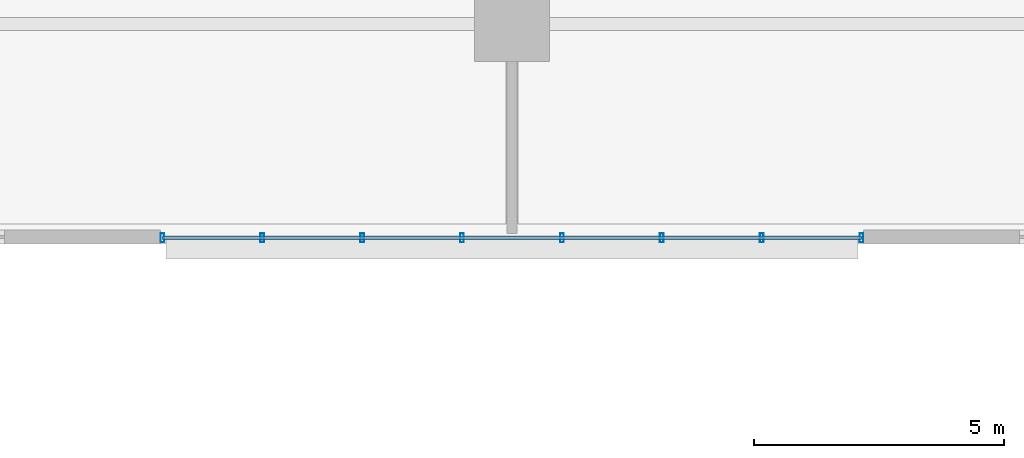
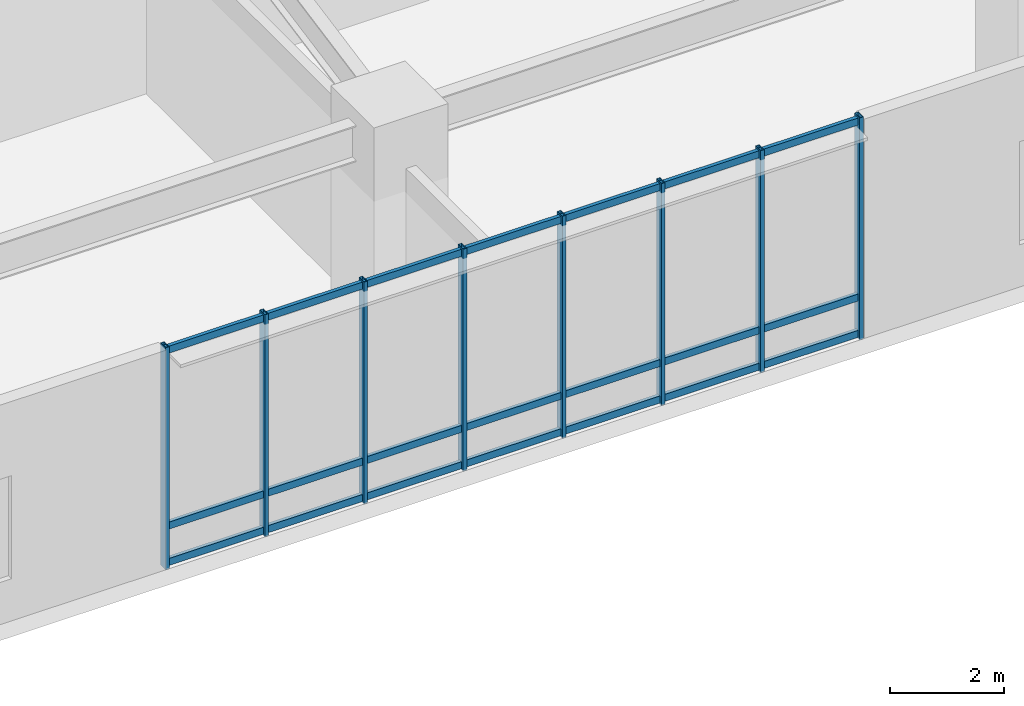
# One storey, part 3 of 23: 11 members, 1 element without a shape of its own.
"""IFC4 building model written with IfcOpenShell, lengths in metres."""

from ifc_helpers import new_model, si_unit, direction, frame, origin, origin_2d, place, context, subcontext, project, spatial, hollow_rectangle, extrude, material, material_profile, profile_set, type_object, element, aggregate, save


model = new_model("IFC4")

# Units and contexts
model_context = context("Model", 3, precision=1e-05, world=origin(), true_north=direction((0.0, 1.0)))
body_context = subcontext(model_context, "Body", "Model", "MODEL_VIEW")
ifc_project = project(units=[si_unit("LENGTHUNIT", "METRE"), si_unit("AREAUNIT", "SQUARE_METRE"), si_unit("VOLUMEUNIT", "CUBIC_METRE"), si_unit("PLANEANGLEUNIT", "RADIAN"), si_unit("MASSUNIT", "GRAM", prefix="KILO")], contexts=[model_context])

# Site, building, storey
site_placement = place(None, origin())
site = spatial("IfcSite", under=ifc_project, at=site_placement, CompositionType="ELEMENT")
building_placement = place(site_placement, origin())
building = spatial("IfcBuilding", under=site, at=building_placement, Name="Zulverin Broadcast Headquarters", CompositionType="ELEMENT")
storey_placement = place(building_placement, frame((0.0, 0.0, 10.0)))
storey = spatial("IfcBuildingStorey", under=building, at=storey_placement, Name="L02", CompositionType="ELEMENT", Elevation=10.0)

# Curtain wall, members
ifc_material_1 = material(Name="Pale-metal unitised podium curtain wall", Category="aluminium")
curtain_wall_type = type_object("IfcCurtainWallType", Name="CW-POD", PredefinedType="USERDEFINED", material=ifc_material_1)
curtain_wall_placement = place(storey_placement, origin())
curtain_wall = element("IfcCurtainWall", 1, at=curtain_wall_placement, inside=storey, type_object=curtain_wall_type, Name="L02 Unitised Curtain Wall CW-L02-S4", ObjectType="UNITISED CURTAIN WALL", PredefinedType="USERDEFINED")
ifc_material_2 = material(Name="Anodized pale-metal aluminium alloy 6063-T6", Category="aluminium")
ifc_material_profile_1 = material_profile(ifc_material_2, hollow_rectangle(XDim=0.074951171875, YDim=0.179931640625, WallThickness=0.0048828125, at=origin_2d()), Name="Anodized pale-metal aluminium alloy 6063-T6", Category="aluminium")
ifc_profile_set_1 = profile_set([ifc_material_profile_1], Name="Anodized pale-metal aluminium alloy 6063-T6")
member_type_1 = type_object("IfcMemberType", Name="CW-MUL-180", PredefinedType="MULLION", material=ifc_profile_set_1)
member_1_placement = place(storey_placement, frame((30.0, 0.1201171875, -0.030029296875), z_axis=(0.0, 0.0, 1.0), x_axis=(1.0, 0.0, 0.0)))
member_1 = element("IfcMember", 2, at=member_1_placement, type_object=member_type_1, Name="CW-L02-S4 Mullion 00", PredefinedType="MULLION", context=body_context, shape_type="SweptSolid", body=[
    extrude(hollow_rectangle(XDim=0.074951171875, YDim=0.179931640625, WallThickness=0.0048828125, at=origin_2d()), origin(), (0.0, 0.0, 1.0), 4.739990234375),
])
member_2_placement = place(storey_placement, frame((32.0, 0.1201171875, -0.030029296875), z_axis=(0.0, 0.0, 1.0), x_axis=(1.0, 0.0, 0.0)))
member_2 = element("IfcMember", 3, at=member_2_placement, type_object=member_type_1, Name="CW-L02-S4 Mullion 01", PredefinedType="MULLION", context=body_context, shape_type="SweptSolid", body=[
    extrude(hollow_rectangle(XDim=0.074951171875, YDim=0.179931640625, WallThickness=0.0048828125, at=origin_2d()), origin(), (0.0, 0.0, 1.0), 4.739990234375),
])
member_3_placement = place(storey_placement, frame((34.0, 0.1201171875, -0.030029296875), z_axis=(0.0, 0.0, 1.0), x_axis=(1.0, 0.0, 0.0)))
member_3 = element("IfcMember", 4, at=member_3_placement, type_object=member_type_1, Name="CW-L02-S4 Mullion 02", PredefinedType="MULLION", context=body_context, shape_type="SweptSolid", body=[
    extrude(hollow_rectangle(XDim=0.074951171875, YDim=0.179931640625, WallThickness=0.0048828125, at=origin_2d()), origin(), (0.0, 0.0, 1.0), 4.739990234375),
])
member_4_placement = place(storey_placement, frame((36.0, 0.1201171875, -0.030029296875), z_axis=(0.0, 0.0, 1.0), x_axis=(1.0, 0.0, 0.0)))
member_4 = element("IfcMember", 5, at=member_4_placement, type_object=member_type_1, Name="CW-L02-S4 Mullion 03", PredefinedType="MULLION", context=body_context, shape_type="SweptSolid", body=[
    extrude(hollow_rectangle(XDim=0.074951171875, YDim=0.179931640625, WallThickness=0.0048828125, at=origin_2d()), origin(), (0.0, 0.0, 1.0), 4.739990234375),
])
member_5_placement = place(storey_placement, frame((38.0, 0.1201171875, -0.030029296875), z_axis=(0.0, 0.0, 1.0), x_axis=(1.0, 0.0, 0.0)))
member_5 = element("IfcMember", 6, at=member_5_placement, type_object=member_type_1, Name="CW-L02-S4 Mullion 04", PredefinedType="MULLION", context=body_context, shape_type="SweptSolid", body=[
    extrude(hollow_rectangle(XDim=0.074951171875, YDim=0.179931640625, WallThickness=0.0048828125, at=origin_2d()), origin(), (0.0, 0.0, 1.0), 4.739990234375),
])
member_6_placement = place(storey_placement, frame((40.0, 0.1201171875, -0.030029296875), z_axis=(0.0, 0.0, 1.0), x_axis=(1.0, 0.0, 0.0)))
member_6 = element("IfcMember", 7, at=member_6_placement, type_object=member_type_1, Name="CW-L02-S4 Mullion 05", PredefinedType="MULLION", context=body_context, shape_type="SweptSolid", body=[
    extrude(hollow_rectangle(XDim=0.074951171875, YDim=0.179931640625, WallThickness=0.0048828125, at=origin_2d()), origin(), (0.0, 0.0, 1.0), 4.739990234375),
])
member_7_placement = place(storey_placement, frame((42.0, 0.1201171875, -0.030029296875), z_axis=(0.0, 0.0, 1.0), x_axis=(1.0, 0.0, 0.0)))
member_7 = element("IfcMember", 8, at=member_7_placement, type_object=member_type_1, Name="CW-L02-S4 Mullion 06", PredefinedType="MULLION", context=body_context, shape_type="SweptSolid", body=[
    extrude(hollow_rectangle(XDim=0.074951171875, YDim=0.179931640625, WallThickness=0.0048828125, at=origin_2d()), origin(), (0.0, 0.0, 1.0), 4.739990234375),
])
member_8_placement = place(storey_placement, frame((44.0, 0.1201171875, -0.030029296875), z_axis=(0.0, 0.0, 1.0), x_axis=(1.0, 0.0, 0.0)))
member_8 = element("IfcMember", 9, at=member_8_placement, type_object=member_type_1, Name="CW-L02-S4 Mullion 07", PredefinedType="MULLION", context=body_context, shape_type="SweptSolid", body=[
    extrude(hollow_rectangle(XDim=0.074951171875, YDim=0.179931640625, WallThickness=0.0048828125, at=origin_2d()), origin(), (0.0, 0.0, 1.0), 4.739990234375),
])
ifc_material_profile_2 = material_profile(ifc_material_2, hollow_rectangle(XDim=0.074951171875, YDim=0.14990234375, WallThickness=0.0048828125, at=origin_2d()), Name="Anodized pale-metal aluminium alloy 6063-T6", Category="aluminium")
ifc_profile_set_2 = profile_set([ifc_material_profile_2], Name="Anodized pale-metal aluminium alloy 6063-T6")
member_type_2 = type_object("IfcMemberType", Name="CW-TRN-150", PredefinedType="USERDEFINED", material=ifc_profile_set_2)
member_9_placement = place(storey_placement, frame((30.0, 0.1201171875, 0.074951171875), z_axis=(1.0, 0.0, 0.0), x_axis=(0.0, 1.0, 0.0)))
member_9 = element("IfcMember", 10, at=member_9_placement, type_object=member_type_2, Name="CW-L02-S4 Transom 0", ObjectType="TRANSOM", PredefinedType="USERDEFINED", context=body_context, shape_type="SweptSolid", body=[
    extrude(hollow_rectangle(XDim=0.074951171875, YDim=0.14990234375, WallThickness=0.0048828125, at=origin_2d()), origin(), (0.0, 0.0, 1.0), 14.0),
])
member_10_placement = place(storey_placement, frame((30.0, 0.1201171875, 0.85009765625), z_axis=(1.0, 0.0, 0.0), x_axis=(0.0, 1.0, 0.0)))
member_10 = element("IfcMember", 11, at=member_10_placement, type_object=member_type_2, Name="CW-L02-S4 Transom 1", ObjectType="TRANSOM", PredefinedType="USERDEFINED", context=body_context, shape_type="SweptSolid", body=[
    extrude(hollow_rectangle(XDim=0.074951171875, YDim=0.14990234375, WallThickness=0.0048828125, at=origin_2d()), origin(), (0.0, 0.0, 1.0), 14.0),
])
member_11_placement = place(storey_placement, frame((30.0, 0.1201171875, 4.60498046875), z_axis=(1.0, 0.0, 0.0), x_axis=(0.0, 1.0, 0.0)))
member_11 = element("IfcMember", 12, at=member_11_placement, type_object=member_type_2, Name="CW-L02-S4 Transom 2", ObjectType="TRANSOM", PredefinedType="USERDEFINED", context=body_context, shape_type="SweptSolid", body=[
    extrude(hollow_rectangle(XDim=0.074951171875, YDim=0.14990234375, WallThickness=0.0048828125, at=origin_2d()), origin(), (0.0, 0.0, 1.0), 14.0),
])
aggregate(curtain_wall, [member_1, member_2, member_3, member_4, member_5, member_6, member_7, member_8, member_9, member_10, member_11])

save(model, "model.ifc")
